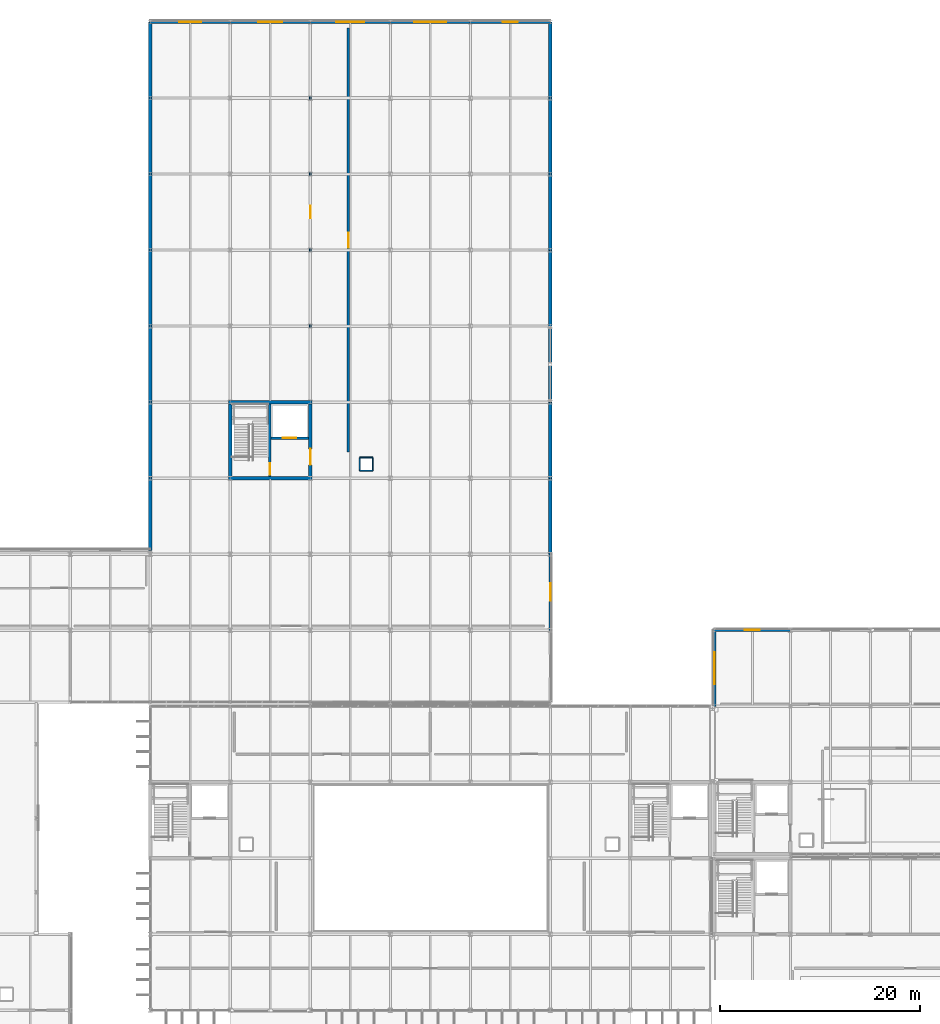
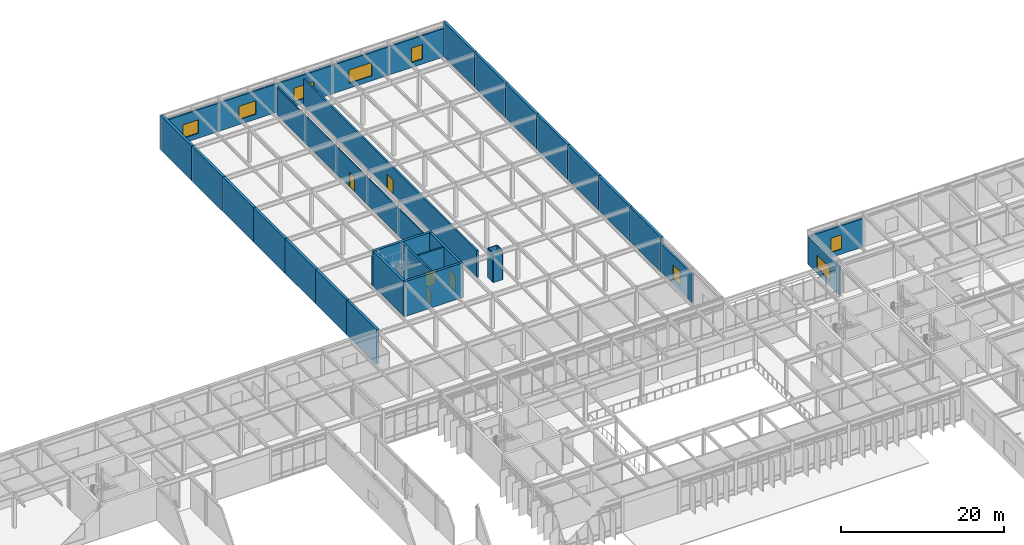
# One storey, part 76 of 94: 34 walls, 8 windows, 5 doors, 13 openings.
"""IFC4 building model written with IfcOpenShell, lengths in metres."""

from ifc_helpers import new_model, si_unit, direction, frame, frame_2d, origin, place, context, subcontext, project, spatial, rectangle, extrude, material, layer, layer_set, type_object, element, fill, save


model = new_model("IFC4")

# Units and contexts
model_context = context("Model", 3, precision=1e-05, world=origin(), true_north=direction((0.0, 1.0)))
body_context = subcontext(model_context, "Body", "Model", "MODEL_VIEW")
ifc_project = project(units=[si_unit("LENGTHUNIT", "METRE"), si_unit("AREAUNIT", "SQUARE_METRE"), si_unit("VOLUMEUNIT", "CUBIC_METRE"), si_unit("PLANEANGLEUNIT", "RADIAN"), si_unit("MASSUNIT", "GRAM", prefix="KILO")], contexts=[model_context])

# Site, building, storey
site_placement = place(None, origin())
site = spatial("IfcSite", under=ifc_project, at=site_placement, CompositionType="ELEMENT")
building_placement = place(site_placement, origin())
building = spatial("IfcBuilding", under=site, at=building_placement, Name="Zulena Civic Courthouse", CompositionType="ELEMENT")
storey_placement = place(building_placement, frame((0.0, 0.0, 5.39990234375)))
storey = spatial("IfcBuildingStorey", under=building, at=storey_placement, Name="L01", CompositionType="ELEMENT", Elevation=5.39990234375)

# Wall, opening, door
ifc_material_1 = material(Name="Concrete C40/50", Category="concrete")
ifc_layer_1 = layer(ifc_material_1, 0.25)
ifc_layer_set_1 = layer_set([ifc_layer_1], Name="Concrete C40/50")
wall_type_1 = type_object("IfcWallType", Name="CoreShearWall_RC250", PredefinedType="SHEAR", material=ifc_layer_set_1)
wall_1_placement = place(storey_placement, frame((79.949951171875, 68.574951171875, 0.0), z_axis=(0.0, 0.0, 1.0), x_axis=(0.0, 1.0, 0.0)))
wall_1 = element("IfcWall", 1, at=wall_1_placement, inside=storey, type_object=wall_type_1, Name="cwall:K5B:L01:DIV", PredefinedType="SHEAR", context=body_context, shape_type="SweptSolid", body=[
    extrude(rectangle(XDim=7.25, YDim=0.25, at=frame_2d((3.625, 0.0))), origin(), (0.0, 0.0, 1.0), 5.190185546875),
])
opening_1_placement = place(wall_1_placement, frame((0.179931640625, 0.0, 0.0)))
opening_1 = element("IfcOpeningElement", 2, at=opening_1_placement, cuts=wall_1, Name="Opening ID08", PredefinedType="OPENING", context=body_context, shape_type="SweptSolid", body=[
    extrude(rectangle(XDim=1.14990234375, YDim=2.199951171875, at=frame_2d((0.574951171875, 1.10009765625))), frame((0.0, 0.135009765625, 0.0), z_axis=(0.0, -1.0, 0.0), x_axis=(1.0, 0.0, 0.0)), (0.0, 0.0, 1.0), 0.27001953125),
])
ifc_material_2 = material(Name="Fire-rated galvanised steel ASTM A653 Grade 50", Category="steel")
door_type_1 = type_object("IfcDoorType", Name="IntDoor_Stair_1150x2200", OperationType="NOTDEFINED", PredefinedType="DOOR", material=ifc_material_2)
door_1_placement = place(opening_1_placement, origin())
door_1 = element("IfcDoor", 3, at=door_1_placement, inside=storey, type_object=door_type_1, Name="door:stair:K5B:L01", OperationType="SINGLE_SWING_RIGHT", OverallHeight=2.199951171875, OverallWidth=1.14990234375, PredefinedType="DOOR", context=body_context, shape_type="SweptSolid", body=[
    extrude(rectangle(XDim=1.14990234375, YDim=2.199951171875, at=frame_2d((0.574951171875, 1.10009765625))), frame((0.0, 0.02490234375, 0.0), z_axis=(0.0, -1.0, 0.0), x_axis=(1.0, 0.0, 0.0)), (0.0, 0.0, 1.0), 0.050048828125),
])
fill(opening_1, door_1)

wall_2_placement = place(storey_placement, frame((80.074951171875, 72.39990234375, 0.0), z_axis=(0.0, 0.0, 1.0), x_axis=(1.0, 0.0, 0.0)))
wall_2 = element("IfcWall", 4, at=wall_2_placement, inside=storey, type_object=wall_type_1, Name="cwall:K5B:L01:SHF", PredefinedType="SHEAR", context=body_context, shape_type="SweptSolid", body=[
    extrude(rectangle(XDim=3.75, YDim=0.25, at=frame_2d((1.875, 0.0))), origin(), (0.0, 0.0, 1.0), 5.190185546875),
])
opening_2_placement = place(wall_2_placement, frame((1.195068359375, 0.0, 0.0)))
opening_2 = element("IfcOpeningElement", 5, at=opening_2_placement, cuts=wall_2, Name="Opening LD04", PredefinedType="OPENING", context=body_context, shape_type="SweptSolid", body=[
    extrude(rectangle(XDim=1.35009765625, YDim=2.199951171875, at=frame_2d((0.675048828125, 1.10009765625))), frame((0.0, 0.135009765625, 0.0), z_axis=(0.0, -1.0, 0.0), x_axis=(1.0, 0.0, 0.0)), (0.0, 0.0, 1.0), 0.27001953125),
])
door_type_2 = type_object("IfcDoorType", Name="LiftLandingDoor_Goods_1350x2300", OperationType="DOUBLE_DOOR_SLIDING", PredefinedType="DOOR", material=ifc_material_2)
door_2_placement = place(opening_2_placement, origin())
door_2 = element("IfcDoor", 6, at=door_2_placement, inside=storey, type_object=door_type_2, Name="door:ld:CL-02:L01", OperationType="DOUBLE_DOOR_SLIDING", OverallHeight=2.199951171875, OverallWidth=1.35009765625, PredefinedType="DOOR", context=body_context, shape_type="SweptSolid", body=[
    extrude(rectangle(XDim=1.35009765625, YDim=2.199951171875, at=frame_2d((0.675048828125, 1.10009765625))), frame((0.0, 0.02490234375, 0.0), z_axis=(0.0, -1.0, 0.0), x_axis=(1.0, 0.0, 0.0)), (0.0, 0.0, 1.0), 0.050048828125),
])
fill(opening_2, door_2)

# Walls
ifc_layer_2 = layer(ifc_material_1, 0.35009765625)
ifc_layer_set_2 = layer_set([ifc_layer_2], Name="Concrete C40/50")
wall_type_2 = type_object("IfcWallType", Name="CoreShearWall_RC350", PredefinedType="SHEAR", material=ifc_layer_set_2)
for number, where, z_axis, x_axis, name in (
    (7, (75.824951171875, 68.39990234375, 0.0), (0.0, 0.0, 1.0), (1.0, 0.0, 0.0), "cwall:K5B:L01:S"),
    (8, (75.824951171875, 76.0, 0.0), (0.0, 0.0, 1.0), (1.0, 0.0, 0.0), "cwall:K5B:L01:N"),
):
    element("IfcWall", number, at=place(storey_placement, frame(where, z_axis=z_axis, x_axis=x_axis)), inside=storey, type_object=wall_type_2, Name=name, PredefinedType="SHEAR", context=body_context, shape_type="SweptSolid", body=[
        extrude(rectangle(XDim=8.35009765625, YDim=0.35009765625, at=frame_2d((4.175048828125, 0.0))), origin(), (0.0, 0.0, 1.0), 5.190185546875),
    ])
wall_3_placement = place(storey_placement, frame((76.0, 68.574951171875, 0.0), z_axis=(0.0, 0.0, 1.0), x_axis=(0.0, 1.0, 0.0)))
element("IfcWall", 9, at=wall_3_placement, inside=storey, type_object=wall_type_2, Name="cwall:K5B:L01:W", PredefinedType="SHEAR", context=body_context, shape_type="SweptSolid", body=[
    extrude(rectangle(XDim=7.25, YDim=0.35009765625, at=frame_2d((3.625, 0.0))), origin(), (0.0, 0.0, 1.0), 5.190185546875),
])

# Wall, opening, door
wall_4_placement = place(storey_placement, frame((84.0, 68.574951171875, 0.0), z_axis=(0.0, 0.0, 1.0), x_axis=(0.0, 1.0, 0.0)))
wall_4 = element("IfcWall", 10, at=wall_4_placement, inside=storey, type_object=wall_type_2, Name="cwall:K5B:L01:E", PredefinedType="SHEAR", context=body_context, shape_type="SweptSolid", body=[
    extrude(rectangle(XDim=7.25, YDim=0.35009765625, at=frame_2d((3.625, 0.0))), origin(), (0.0, 0.0, 1.0), 5.190185546875),
])
opening_3_placement = place(wall_4_placement, frame((1.14990234375, 0.0, 0.0)))
opening_3 = element("IfcOpeningElement", 11, at=opening_3_placement, cuts=wall_4, Name="Opening ID04", PredefinedType="OPENING", context=body_context, shape_type="SweptSolid", body=[
    extrude(rectangle(XDim=1.60009765625, YDim=2.35009765625, at=frame_2d((0.800048828125, 1.175048828125))), frame((0.0, 0.18505859375, 0.0), z_axis=(0.0, -1.0, 0.0), x_axis=(1.0, 0.0, 0.0)), (0.0, 0.0, 1.0), 0.3701171875),
])
ifc_material_3 = material(Name="Solid-core acoustic hardwood timber", Category="wood")
door_type_3 = type_object("IfcDoorType", Name="IntDoor_CourtPublic_1600x2350", OperationType="DOUBLE_DOOR_SINGLE_SWING", PredefinedType="DOOR", material=ifc_material_3)
door_3_placement = place(opening_3_placement, origin())
door_3 = element("IfcDoor", 12, at=door_3_placement, inside=storey, type_object=door_type_3, Name="door:corelob:K5B:L01", OperationType="DOUBLE_DOOR_SINGLE_SWING", OverallHeight=2.35009765625, OverallWidth=1.60009765625, PredefinedType="DOOR", context=body_context, shape_type="SweptSolid", body=[
    extrude(rectangle(XDim=1.60009765625, YDim=2.35009765625, at=frame_2d((0.800048828125, 1.175048828125))), frame((0.0, 0.02490234375, 0.0), z_axis=(0.0, -1.0, 0.0), x_axis=(1.0, 0.0, 0.0)), (0.0, 0.0, 1.0), 0.050048828125),
])
fill(opening_3, door_3)

# Wall, opening, window
ifc_material_4 = material(Name="Buff architectural precast concrete C40/50", Category="concrete")
ifc_layer_3 = layer(ifc_material_4, 0.264892578125)
ifc_layer_set_3 = layer_set([ifc_layer_3], Name="Buff architectural precast concrete C40/50")
wall_type_3 = type_object("IfcWallType", Name="ExtWall_BuffPrecast_265", PredefinedType="STANDARD", material=ifc_layer_set_3)
wall_5_placement = place(storey_placement, frame((67.97998046875, 114.0, 0.0), z_axis=(0.0, 0.0, 1.0), x_axis=(1.0, 0.0, 0.0)))
wall_5 = element("IfcWall", 13, at=wall_5_placement, inside=storey, type_object=wall_type_3, Name="ewall:V5:L01:3:0", PredefinedType="STANDARD", context=body_context, shape_type="SweptSolid", body=[
    extrude(rectangle(XDim=8.0400390625, YDim=0.264892578125, at=frame_2d((4.02001953125, 0.0))), origin(), (0.0, 0.0, 1.0), 4.25),
])
opening_4_placement = place(wall_5_placement, frame((2.919921875, 0.0, 0.75)))
opening_4 = element("IfcOpeningElement", 14, at=opening_4_placement, cuts=wall_5, Name="Opening WN05", PredefinedType="OPENING", context=body_context, shape_type="SweptSolid", body=[
    extrude(rectangle(XDim=2.199951171875, YDim=2.0, at=frame_2d((1.10009765625, 1.0))), frame((0.0, 0.142333984375, 0.0), z_axis=(0.0, -1.0, 0.0), x_axis=(1.0, 0.0, 0.0)), (0.0, 0.0, 1.0), 0.284912109375),
])
ifc_material_5 = material(Name="Double-silver low-E laminated solar-control glass", Category="glass")
window_type_1 = type_object("IfcWindowType", Name="Win_2200x2000", PartitioningType="DOUBLE_PANEL_VERTICAL", PredefinedType="WINDOW", material=ifc_material_5)
window_1_placement = place(opening_4_placement, origin())
window_1 = element("IfcWindow", 15, at=window_1_placement, inside=storey, type_object=window_type_1, Name="win:V5:L01:3:0", OverallHeight=2.0, OverallWidth=2.199951171875, PartitioningType="SINGLE_PANEL", PredefinedType="WINDOW", context=body_context, shape_type="SweptSolid", body=[
    extrude(rectangle(XDim=2.199951171875, YDim=2.0, at=frame_2d((1.10009765625, 1.0))), frame((0.0, 0.030029296875, 0.0), z_axis=(0.0, -1.0, 0.0), x_axis=(1.0, 0.0, 0.0)), (0.0, 0.0, 1.0), 0.06005859375),
])
fill(opening_4, window_1)

wall_6_placement = place(storey_placement, frame((75.97998046875, 114.0, 0.0), z_axis=(0.0, 0.0, 1.0), x_axis=(1.0, 0.0, 0.0)))
wall_6 = element("IfcWall", 16, at=wall_6_placement, inside=storey, type_object=wall_type_3, Name="ewall:V5:L01:3:1", PredefinedType="STANDARD", context=body_context, shape_type="SweptSolid", body=[
    extrude(rectangle(XDim=8.0400390625, YDim=0.264892578125, at=frame_2d((4.02001953125, 0.0))), origin(), (0.0, 0.0, 1.0), 4.25),
])
opening_5_placement = place(wall_6_placement, frame((2.820068359375, 0.0, 0.75)))
opening_5 = element("IfcOpeningElement", 17, at=opening_5_placement, cuts=wall_6, Name="Opening WN06", PredefinedType="OPENING", context=body_context, shape_type="SweptSolid", body=[
    extrude(rectangle(XDim=2.39990234375, YDim=2.0, at=frame_2d((1.199951171875, 1.0))), frame((0.0, 0.142333984375, 0.0), z_axis=(0.0, -1.0, 0.0), x_axis=(1.0, 0.0, 0.0)), (0.0, 0.0, 1.0), 0.284912109375),
])
window_type_2 = type_object("IfcWindowType", Name="Win_2400x2000", PartitioningType="DOUBLE_PANEL_VERTICAL", PredefinedType="WINDOW", material=ifc_material_5)
window_2_placement = place(opening_5_placement, origin())
window_2 = element("IfcWindow", 18, at=window_2_placement, inside=storey, type_object=window_type_2, Name="win:V5:L01:3:1", OverallHeight=2.0, OverallWidth=2.39990234375, PartitioningType="SINGLE_PANEL", PredefinedType="WINDOW", context=body_context, shape_type="SweptSolid", body=[
    extrude(rectangle(XDim=2.39990234375, YDim=2.0, at=frame_2d((1.199951171875, 1.0))), frame((0.0, 0.030029296875, 0.0), z_axis=(0.0, -1.0, 0.0), x_axis=(1.0, 0.0, 0.0)), (0.0, 0.0, 1.0), 0.06005859375),
])
fill(opening_5, window_2)

wall_7_placement = place(storey_placement, frame((83.97998046875, 114.0, 0.0), z_axis=(0.0, 0.0, 1.0), x_axis=(1.0, 0.0, 0.0)))
wall_7 = element("IfcWall", 19, at=wall_7_placement, inside=storey, type_object=wall_type_3, Name="ewall:V5:L01:3:2", PredefinedType="STANDARD", context=body_context, shape_type="SweptSolid", body=[
    extrude(rectangle(XDim=8.0400390625, YDim=0.264892578125, at=frame_2d((4.02001953125, 0.0))), origin(), (0.0, 0.0, 1.0), 4.25),
])
opening_6_placement = place(wall_7_placement, frame((2.6201171875, 0.0, 0.75)))
opening_6 = element("IfcOpeningElement", 20, at=opening_6_placement, cuts=wall_7, Name="Opening WN07", PredefinedType="OPENING", context=body_context, shape_type="SweptSolid", body=[
    extrude(rectangle(XDim=2.800048828125, YDim=2.0, at=frame_2d((1.39990234375, 1.0))), frame((0.0, 0.142333984375, 0.0), z_axis=(0.0, -1.0, 0.0), x_axis=(1.0, 0.0, 0.0)), (0.0, 0.0, 1.0), 0.284912109375),
])
window_type_3 = type_object("IfcWindowType", Name="Win_2800x2000", PartitioningType="DOUBLE_PANEL_VERTICAL", PredefinedType="WINDOW", material=ifc_material_5)
window_3_placement = place(opening_6_placement, origin())
window_3 = element("IfcWindow", 21, at=window_3_placement, inside=storey, type_object=window_type_3, Name="win:V5:L01:3:2", OverallHeight=2.0, OverallWidth=2.800048828125, PartitioningType="SINGLE_PANEL", PredefinedType="WINDOW", context=body_context, shape_type="SweptSolid", body=[
    extrude(rectangle(XDim=2.800048828125, YDim=2.0, at=frame_2d((1.39990234375, 1.0))), frame((0.0, 0.030029296875, 0.0), z_axis=(0.0, -1.0, 0.0), x_axis=(1.0, 0.0, 0.0)), (0.0, 0.0, 1.0), 0.06005859375),
])
fill(opening_6, window_3)

wall_8_placement = place(storey_placement, frame((91.97998046875, 114.0, 0.0), z_axis=(0.0, 0.0, 1.0), x_axis=(1.0, 0.0, 0.0)))
wall_8 = element("IfcWall", 22, at=wall_8_placement, inside=storey, type_object=wall_type_3, Name="ewall:V5:L01:3:3", PredefinedType="STANDARD", context=body_context, shape_type="SweptSolid", body=[
    extrude(rectangle(XDim=8.0400390625, YDim=0.264892578125, at=frame_2d((4.02001953125, 0.0))), origin(), (0.0, 0.0, 1.0), 4.25),
])
opening_7_placement = place(wall_8_placement, frame((2.419921875, 0.0, 0.75)))
opening_7 = element("IfcOpeningElement", 23, at=opening_7_placement, cuts=wall_8, Name="Opening WN08", PredefinedType="OPENING", context=body_context, shape_type="SweptSolid", body=[
    extrude(rectangle(XDim=3.199951171875, YDim=2.0, at=frame_2d((1.60009765625, 1.0))), frame((0.0, 0.142333984375, 0.0), z_axis=(0.0, -1.0, 0.0), x_axis=(1.0, 0.0, 0.0)), (0.0, 0.0, 1.0), 0.284912109375),
])
window_type_4 = type_object("IfcWindowType", Name="Win_3200x2000", PartitioningType="DOUBLE_PANEL_VERTICAL", PredefinedType="WINDOW", material=ifc_material_5)
window_4_placement = place(opening_7_placement, origin())
window_4 = element("IfcWindow", 24, at=window_4_placement, inside=storey, type_object=window_type_4, Name="win:V5:L01:3:3", OverallHeight=2.0, OverallWidth=3.199951171875, PartitioningType="SINGLE_PANEL", PredefinedType="WINDOW", context=body_context, shape_type="SweptSolid", body=[
    extrude(rectangle(XDim=3.199951171875, YDim=2.0, at=frame_2d((1.60009765625, 1.0))), frame((0.0, 0.030029296875, 0.0), z_axis=(0.0, -1.0, 0.0), x_axis=(1.0, 0.0, 0.0)), (0.0, 0.0, 1.0), 0.06005859375),
])
fill(opening_7, window_4)

wall_9_placement = place(storey_placement, frame((99.97998046875, 114.0, 0.0), z_axis=(0.0, 0.0, 1.0), x_axis=(1.0, 0.0, 0.0)))
wall_9 = element("IfcWall", 25, at=wall_9_placement, inside=storey, type_object=wall_type_3, Name="ewall:V5:L01:3:4", PredefinedType="STANDARD", context=body_context, shape_type="SweptSolid", body=[
    extrude(rectangle(XDim=8.0400390625, YDim=0.264892578125, at=frame_2d((4.02001953125, 0.0))), origin(), (0.0, 0.0, 1.0), 4.25),
])
opening_8_placement = place(wall_9_placement, frame((3.27001953125, 0.0, 0.75)))
opening_8 = element("IfcOpeningElement", 26, at=opening_8_placement, cuts=wall_9, Name="Opening WN09", PredefinedType="OPENING", context=body_context, shape_type="SweptSolid", body=[
    extrude(rectangle(XDim=1.5, YDim=2.14990234375, at=frame_2d((0.75, 1.074951171875))), frame((0.0, 0.142333984375, 0.0), z_axis=(0.0, -1.0, 0.0), x_axis=(1.0, 0.0, 0.0)), (0.0, 0.0, 1.0), 0.284912109375),
])
window_type_5 = type_object("IfcWindowType", Name="Win_1500x2150", PartitioningType="SINGLE_PANEL", PredefinedType="WINDOW", material=ifc_material_5)
window_5_placement = place(opening_8_placement, origin())
window_5 = element("IfcWindow", 27, at=window_5_placement, inside=storey, type_object=window_type_5, Name="win:V5:L01:3:4", OverallHeight=2.14990234375, OverallWidth=1.5, PartitioningType="SINGLE_PANEL", PredefinedType="WINDOW", context=body_context, shape_type="SweptSolid", body=[
    extrude(rectangle(XDim=1.5, YDim=2.14990234375, at=frame_2d((0.75, 1.074951171875))), frame((0.0, 0.030029296875, 0.0), z_axis=(0.0, -1.0, 0.0), x_axis=(1.0, 0.0, 0.0)), (0.0, 0.0, 1.0), 0.06005859375),
])
fill(opening_8, window_5)

wall_10_placement = place(storey_placement, frame((108.0, 60.820068359375, 0.0), z_axis=(0.0, 0.0, 1.0), x_axis=(0.0, -1.0, 0.0)))
wall_10 = element("IfcWall", 28, at=wall_10_placement, inside=storey, type_object=wall_type_3, Name="ewall:V5:L01:4:7", PredefinedType="STANDARD", context=body_context, shape_type="SweptSolid", body=[
    extrude(rectangle(XDim=7.64013671875, YDim=0.264892578125, at=frame_2d((3.820068359375, 0.0))), origin(), (0.0, 0.0, 1.0), 4.25),
])
opening_9_placement = place(wall_10_placement, frame((2.945068359375, 0.0, 0.75)))
opening_9 = element("IfcOpeningElement", 29, at=opening_9_placement, cuts=wall_10, Name="Opening WN10", PredefinedType="OPENING", context=body_context, shape_type="SweptSolid", body=[
    extrude(rectangle(XDim=1.75, YDim=2.14990234375, at=frame_2d((0.875, 1.074951171875))), frame((0.0, 0.142333984375, 0.0), z_axis=(0.0, -1.0, 0.0), x_axis=(1.0, 0.0, 0.0)), (0.0, 0.0, 1.0), 0.284912109375),
])
window_type_6 = type_object("IfcWindowType", Name="Win_1750x2150", PartitioningType="SINGLE_PANEL", PredefinedType="WINDOW", material=ifc_material_5)
window_6_placement = place(opening_9_placement, origin())
window_6 = element("IfcWindow", 30, at=window_6_placement, inside=storey, type_object=window_type_6, Name="win:V5:L01:4:7", OverallHeight=2.14990234375, OverallWidth=1.75, PartitioningType="SINGLE_PANEL", PredefinedType="WINDOW", context=body_context, shape_type="SweptSolid", body=[
    extrude(rectangle(XDim=1.75, YDim=2.14990234375, at=frame_2d((0.875, 1.074951171875))), frame((0.0, 0.030029296875, 0.0), z_axis=(0.0, -1.0, 0.0), x_axis=(1.0, 0.0, 0.0)), (0.0, 0.0, 1.0), 0.06005859375),
])
fill(opening_9, window_6)

# Walls
ifc_layer_4 = layer(ifc_material_1, 0.360107421875)
ifc_layer_set_4 = layer_set([ifc_layer_4], Name="Concrete C40/50")
wall_type_4 = type_object("IfcWallType", Name="ExtWall_PartyWall_360", PredefinedType="STANDARD", material=ifc_layer_set_4)
wall_11_placement = place(storey_placement, frame((68.0, 61.179931640625, 0.0), z_axis=(0.0, 0.0, 1.0), x_axis=(0.0, 1.0, 0.0)))
element("IfcWall", 31, at=wall_11_placement, inside=storey, type_object=wall_type_4, Name="ewall:V5:L01:2:0", PredefinedType="STANDARD", context=body_context, shape_type="SweptSolid", body=[
    extrude(rectangle(XDim=7.239990234375, YDim=0.360107421875, at=frame_2d((3.6201171875, 0.0))), origin(), (0.0, 0.0, 1.0), 5.190185546875),
])
for number, where, z_axis, x_axis, name in (
    (32, (68.0, 68.3798828125, 0.0), (0.0, 0.0, 1.0), (0.0, 1.0, 0.0), "ewall:V5:L01:2:1"),
    (33, (68.0, 75.97998046875, 0.0), (0.0, 0.0, 1.0), (0.0, 1.0, 0.0), "ewall:V5:L01:2:2"),
):
    element("IfcWall", number, at=place(storey_placement, frame(where, z_axis=z_axis, x_axis=x_axis)), inside=storey, type_object=wall_type_4, Name=name, PredefinedType="STANDARD", context=body_context, shape_type="SweptSolid", body=[
        extrude(rectangle(XDim=7.64013671875, YDim=0.360107421875, at=frame_2d((3.820068359375, 0.0))), origin(), (0.0, 0.0, 1.0), 5.190185546875),
    ])
wall_12_placement = place(storey_placement, frame((68.0, 83.580078125, 0.0), z_axis=(0.0, 0.0, 1.0), x_axis=(0.0, 1.0, 0.0)))
element("IfcWall", 34, at=wall_12_placement, inside=storey, type_object=wall_type_4, Name="ewall:V5:L01:2:3", PredefinedType="STANDARD", context=body_context, shape_type="SweptSolid", body=[
    extrude(rectangle(XDim=7.639892578125, YDim=0.360107421875, at=frame_2d((3.81982421875, 0.0))), origin(), (0.0, 0.0, 1.0), 5.190185546875),
])
wall_13_placement = place(storey_placement, frame((68.0, 91.179931640625, 0.0), z_axis=(0.0, 0.0, 1.0), x_axis=(0.0, 1.0, 0.0)))
element("IfcWall", 35, at=wall_13_placement, inside=storey, type_object=wall_type_4, Name="ewall:V5:L01:2:4", PredefinedType="STANDARD", context=body_context, shape_type="SweptSolid", body=[
    extrude(rectangle(XDim=7.64013671875, YDim=0.360107421875, at=frame_2d((3.820068359375, 0.0))), origin(), (0.0, 0.0, 1.0), 5.190185546875),
])
wall_14_placement = place(storey_placement, frame((68.0, 98.780029296875, 0.0), z_axis=(0.0, 0.0, 1.0), x_axis=(0.0, 1.0, 0.0)))
element("IfcWall", 36, at=wall_14_placement, inside=storey, type_object=wall_type_4, Name="ewall:V5:L01:2:5", PredefinedType="STANDARD", context=body_context, shape_type="SweptSolid", body=[
    extrude(rectangle(XDim=7.639892578125, YDim=0.360107421875, at=frame_2d((3.81982421875, 0.0))), origin(), (0.0, 0.0, 1.0), 5.190185546875),
])
for number, where, z_axis, x_axis, name in (
    (37, (68.0, 106.3798828125, 0.0), (0.0, 0.0, 1.0), (0.0, 1.0, 0.0), "ewall:V5:L01:2:6"),
    (38, (108.0, 114.02001953125, 0.0), (0.0, 0.0, 1.0), (0.0, -1.0, 0.0), "ewall:V5:L01:4:0"),
):
    element("IfcWall", number, at=place(storey_placement, frame(where, z_axis=z_axis, x_axis=x_axis)), inside=storey, type_object=wall_type_4, Name=name, PredefinedType="STANDARD", context=body_context, shape_type="SweptSolid", body=[
        extrude(rectangle(XDim=7.64013671875, YDim=0.360107421875, at=frame_2d((3.820068359375, 0.0))), origin(), (0.0, 0.0, 1.0), 5.190185546875),
    ])
wall_15_placement = place(storey_placement, frame((108.0, 106.419921875, 0.0), z_axis=(0.0, 0.0, 1.0), x_axis=(0.0, -1.0, 0.0)))
element("IfcWall", 39, at=wall_15_placement, inside=storey, type_object=wall_type_4, Name="ewall:V5:L01:4:1", PredefinedType="STANDARD", context=body_context, shape_type="SweptSolid", body=[
    extrude(rectangle(XDim=7.639892578125, YDim=0.360107421875, at=frame_2d((3.81982421875, 0.0))), origin(), (0.0, 0.0, 1.0), 5.190185546875),
])
wall_16_placement = place(storey_placement, frame((108.0, 98.820068359375, 0.0), z_axis=(0.0, 0.0, 1.0), x_axis=(0.0, -1.0, 0.0)))
element("IfcWall", 40, at=wall_16_placement, inside=storey, type_object=wall_type_4, Name="ewall:V5:L01:4:2", PredefinedType="STANDARD", context=body_context, shape_type="SweptSolid", body=[
    extrude(rectangle(XDim=7.64013671875, YDim=0.360107421875, at=frame_2d((3.820068359375, 0.0))), origin(), (0.0, 0.0, 1.0), 5.190185546875),
])
wall_17_placement = place(storey_placement, frame((108.0, 91.219970703125, 0.0), z_axis=(0.0, 0.0, 1.0), x_axis=(0.0, -1.0, 0.0)))
element("IfcWall", 41, at=wall_17_placement, inside=storey, type_object=wall_type_4, Name="ewall:V5:L01:4:3", PredefinedType="STANDARD", context=body_context, shape_type="SweptSolid", body=[
    extrude(rectangle(XDim=7.639892578125, YDim=0.360107421875, at=frame_2d((3.81982421875, 0.0))), origin(), (0.0, 0.0, 1.0), 5.190185546875),
])
for number, where, z_axis, x_axis, name in (
    (42, (108.0, 83.6201171875, 0.0), (0.0, 0.0, 1.0), (0.0, -1.0, 0.0), "ewall:V5:L01:4:4"),
    (43, (108.0, 76.02001953125, 0.0), (0.0, 0.0, 1.0), (0.0, -1.0, 0.0), "ewall:V5:L01:4:5"),
):
    element("IfcWall", number, at=place(storey_placement, frame(where, z_axis=z_axis, x_axis=x_axis)), inside=storey, type_object=wall_type_4, Name=name, PredefinedType="STANDARD", context=body_context, shape_type="SweptSolid", body=[
        extrude(rectangle(XDim=7.64013671875, YDim=0.360107421875, at=frame_2d((3.820068359375, 0.0))), origin(), (0.0, 0.0, 1.0), 5.190185546875),
    ])
wall_18_placement = place(storey_placement, frame((108.0, 68.419921875, 0.0), z_axis=(0.0, 0.0, 1.0), x_axis=(0.0, -1.0, 0.0)))
element("IfcWall", 44, at=wall_18_placement, inside=storey, type_object=wall_type_4, Name="ewall:V5:L01:4:6", PredefinedType="STANDARD", context=body_context, shape_type="SweptSolid", body=[
    extrude(rectangle(XDim=7.639892578125, YDim=0.360107421875, at=frame_2d((3.81982421875, 0.0))), origin(), (0.0, 0.0, 1.0), 5.190185546875),
])

# Wall, opening, window
ifc_material_6 = material(Name="Travertine-cream architectural precast concrete C40/50", Category="masonry")
ifc_layer_5 = layer(ifc_material_6, 0.280029296875)
ifc_layer_set_5 = layer_set([ifc_layer_5], Name="Travertine-cream architectural precast concrete C40/50")
wall_type_5 = type_object("IfcWallType", Name="ExtWall_TravPrecast_280", PredefinedType="STANDARD", material=ifc_layer_set_5)
wall_19_placement = place(storey_placement, frame((124.39990234375, 45.580078125, 0.0), z_axis=(0.0, 0.0, 1.0), x_axis=(0.0, 1.0, 0.0)))
wall_19 = element("IfcWall", 45, at=wall_19_placement, inside=storey, type_object=wall_type_5, Name="ewall:V3:L01:0:2", PredefinedType="STANDARD", context=body_context, shape_type="SweptSolid", body=[
    extrude(rectangle(XDim=7.639892578125, YDim=0.280029296875, at=frame_2d((3.81982421875, 0.0))), origin(), (0.0, 0.0, 1.0), 4.25),
])
opening_10_placement = place(wall_19_placement, frame((2.219970703125, 0.0, 0.75)))
opening_10 = element("IfcOpeningElement", 46, at=opening_10_placement, cuts=wall_19, Name="Opening WN08", PredefinedType="OPENING", context=body_context, shape_type="SweptSolid", body=[
    extrude(rectangle(XDim=3.199951171875, YDim=2.0, at=frame_2d((1.60009765625, 1.0))), frame((0.0, 0.14990234375, 0.0), z_axis=(0.0, -1.0, 0.0), x_axis=(1.0, 0.0, 0.0)), (0.0, 0.0, 1.0), 0.300048828125),
])
window_7_placement = place(opening_10_placement, origin())
window_7 = element("IfcWindow", 47, at=window_7_placement, inside=storey, type_object=window_type_4, Name="win:V3:L01:0:2", OverallHeight=2.0, OverallWidth=3.199951171875, PartitioningType="SINGLE_PANEL", PredefinedType="WINDOW", context=body_context, shape_type="SweptSolid", body=[
    extrude(rectangle(XDim=3.199951171875, YDim=2.0, at=frame_2d((1.60009765625, 1.0))), frame((0.0, 0.030029296875, 0.0), z_axis=(0.0, -1.0, 0.0), x_axis=(1.0, 0.0, 0.0)), (0.0, 0.0, 1.0), 0.06005859375),
])
fill(opening_10, window_7)

wall_20_placement = place(storey_placement, frame((124.3798828125, 53.199951171875, 0.0), z_axis=(0.0, 0.0, 1.0), x_axis=(1.0, 0.0, 0.0)))
wall_20 = element("IfcWall", 48, at=wall_20_placement, inside=storey, type_object=wall_type_5, Name="ewall:V3:L01:1:0", PredefinedType="STANDARD", context=body_context, shape_type="SweptSolid", body=[
    extrude(rectangle(XDim=7.64013671875, YDim=0.280029296875, at=frame_2d((3.820068359375, 0.0))), origin(), (0.0, 0.0, 1.0), 4.25),
])
opening_11_placement = place(wall_20_placement, frame((3.070068359375, 0.0, 0.75)))
opening_11 = element("IfcOpeningElement", 49, at=opening_11_placement, cuts=wall_20, Name="Opening WN09", PredefinedType="OPENING", context=body_context, shape_type="SweptSolid", body=[
    extrude(rectangle(XDim=1.5, YDim=2.14990234375, at=frame_2d((0.75, 1.074951171875))), frame((0.0, 0.14990234375, 0.0), z_axis=(0.0, -1.0, 0.0), x_axis=(1.0, 0.0, 0.0)), (0.0, 0.0, 1.0), 0.300048828125),
])
window_8_placement = place(opening_11_placement, origin())
window_8 = element("IfcWindow", 50, at=window_8_placement, inside=storey, type_object=window_type_5, Name="win:V3:L01:1:0", OverallHeight=2.14990234375, OverallWidth=1.5, PartitioningType="SINGLE_PANEL", PredefinedType="WINDOW", context=body_context, shape_type="SweptSolid", body=[
    extrude(rectangle(XDim=1.5, YDim=2.14990234375, at=frame_2d((0.75, 1.074951171875))), frame((0.0, 0.030029296875, 0.0), z_axis=(0.0, -1.0, 0.0), x_axis=(1.0, 0.0, 0.0)), (0.0, 0.0, 1.0), 0.06005859375),
])
fill(opening_11, window_8)

# Wall, opening, door
ifc_material_7 = material(Name="Acoustic fire-rated gypsum board assembly", Category="masonry")
ifc_layer_6 = layer(ifc_material_7, 0.177978515625)
ifc_layer_set_6 = layer_set([ifc_layer_6], Name="Acoustic fire-rated gypsum board assembly")
wall_type_6 = type_object("IfcWallType", Name="PartWall_Corridor_178", PredefinedType="PARTITIONING", material=ifc_layer_set_6)
wall_21_placement = place(storey_placement, frame((84.0, 76.6201171875, 0.0), z_axis=(0.0, 0.0, 1.0), x_axis=(0.0, 1.0, 0.0)))
wall_21 = element("IfcWall", 51, at=wall_21_placement, inside=storey, type_object=wall_type_6, Name="pwall:L01:386:0", PredefinedType="PARTITIONING", context=body_context, shape_type="SweptSolid", body=[
    extrude(rectangle(XDim=36.759765625, YDim=0.177978515625, at=frame_2d((18.3798828125, 0.0))), origin(), (0.0, 0.0, 1.0), 4.050048828125),
])
opening_12_placement = place(wall_21_placement, frame((17.7548828125, 0.0, 0.0)))
opening_12 = element("IfcOpeningElement", 52, at=opening_12_placement, cuts=wall_21, Name="Opening ID06", PredefinedType="OPENING", context=body_context, shape_type="SweptSolid", body=[
    extrude(rectangle(XDim=1.25, YDim=2.199951171875, at=frame_2d((0.625, 1.10009765625))), frame((0.0, 0.098876953125, 0.0), z_axis=(0.0, -1.0, 0.0), x_axis=(1.0, 0.0, 0.0)), (0.0, 0.0, 1.0), 0.197998046875),
])
door_type_4 = type_object("IfcDoorType", Name="IntDoor_Stair_1250x2200", OperationType="NOTDEFINED", PredefinedType="DOOR", material=ifc_material_2)
door_4_placement = place(opening_12_placement, origin())
door_4 = element("IfcDoor", 53, at=door_4_placement, inside=storey, type_object=door_type_4, Name="door:rm:L01:386", OperationType="SINGLE_SWING_RIGHT", OverallHeight=2.199951171875, OverallWidth=1.25, PredefinedType="DOOR", context=body_context, shape_type="SweptSolid", body=[
    extrude(rectangle(XDim=1.25, YDim=2.199951171875, at=frame_2d((0.625, 1.10009765625))), frame((0.0, 0.02490234375, 0.0), z_axis=(0.0, -1.0, 0.0), x_axis=(1.0, 0.0, 0.0)), (0.0, 0.0, 1.0), 0.050048828125),
])
fill(opening_12, door_4)

ifc_material_8 = material(Name="Insulated blockwork masonry ASTM C90", Category="masonry")
ifc_layer_7 = layer(ifc_material_8, 0.239990234375)
ifc_layer_set_7 = layer_set([ifc_layer_7], Name="Insulated blockwork masonry ASTM C90")
wall_type_7 = type_object("IfcWallType", Name="PartWall_Custody_240", PredefinedType="PARTITIONING", material=ifc_layer_set_7)
wall_22_placement = place(storey_placement, frame((87.800048828125, 71.02001953125, 0.0), z_axis=(0.0, 0.0, 1.0), x_axis=(0.0, 1.0, 0.0)))
wall_22 = element("IfcWall", 54, at=wall_22_placement, inside=storey, type_object=wall_type_7, Name="pwall:L01:385:0", PredefinedType="PARTITIONING", context=body_context, shape_type="SweptSolid", body=[
    extrude(rectangle(XDim=42.35986328125, YDim=0.239990234375, at=frame_2d((21.179931640625, 0.0))), origin(), (0.0, 0.0, 1.0), 4.050048828125),
])
opening_13_placement = place(wall_22_placement, frame((20.429931640625, 0.0, 0.0)))
opening_13 = element("IfcOpeningElement", 55, at=opening_13_placement, cuts=wall_22, Name="Opening ID05", PredefinedType="OPENING", context=body_context, shape_type="SweptSolid", body=[
    extrude(rectangle(XDim=1.5, YDim=2.199951171875, at=frame_2d((0.75, 1.10009765625))), frame((0.0, 0.1298828125, 0.0), z_axis=(0.0, -1.0, 0.0), x_axis=(1.0, 0.0, 0.0)), (0.0, 0.0, 1.0), 0.260009765625),
])
door_type_5 = type_object("IfcDoorType", Name="IntDoor_FFLobby_1500x2200", OperationType="DOUBLE_DOOR_SINGLE_SWING", PredefinedType="DOOR", material=ifc_material_2)
door_5_placement = place(opening_13_placement, origin())
door_5 = element("IfcDoor", 56, at=door_5_placement, inside=storey, type_object=door_type_5, Name="door:rm:L01:385", OperationType="DOUBLE_DOOR_SINGLE_SWING", OverallHeight=2.199951171875, OverallWidth=1.5, PredefinedType="DOOR", context=body_context, shape_type="SweptSolid", body=[
    extrude(rectangle(XDim=1.5, YDim=2.199951171875, at=frame_2d((0.75, 1.10009765625))), frame((0.0, 0.02490234375, 0.0), z_axis=(0.0, -1.0, 0.0), x_axis=(1.0, 0.0, 0.0)), (0.0, 0.0, 1.0), 0.050048828125),
])
fill(opening_13, door_5)

# Walls
ifc_layer_8 = layer(ifc_material_8, 0.114990234375)
ifc_layer_set_8 = layer_set([ifc_layer_8], Name="Insulated blockwork masonry ASTM C90")
wall_type_8 = type_object("IfcWallType", Name="PartWall_Riser_115", PredefinedType="PARTITIONING", material=ifc_layer_set_8)
for number, where, z_axis, x_axis, name in (
    (57, (88.93994140625, 69.139892578125, 0.0), (0.0, 0.0, 1.0), (1.0, 0.0, 0.0), "riser:RS-V5N:L01:0"),
    (58, (90.260009765625, 69.139892578125, 0.0), (0.0, 0.0, 1.0), (0.0, 1.0, 0.0), "riser:RS-V5N:L01:1"),
    (59, (90.260009765625, 70.4599609375, 0.0), (0.0, 0.0, 1.0), (-1.0, 0.0, 0.0), "riser:RS-V5N:L01:2"),
    (60, (88.93994140625, 70.4599609375, 0.0), (0.0, 0.0, 1.0), (0.0, -1.0, 0.0), "riser:RS-V5N:L01:3"),
):
    element("IfcWall", number, at=place(storey_placement, frame(where, z_axis=z_axis, x_axis=x_axis)), inside=storey, type_object=wall_type_8, Name=name, PredefinedType="PARTITIONING", context=body_context, shape_type="SweptSolid", body=[
        extrude(rectangle(XDim=1.320068359375, YDim=0.114990234375, at=frame_2d((0.66015625, 0.0))), origin(), (0.0, 0.0, 1.0), 4.35009765625),
    ])

save(model, "model.ifc")
